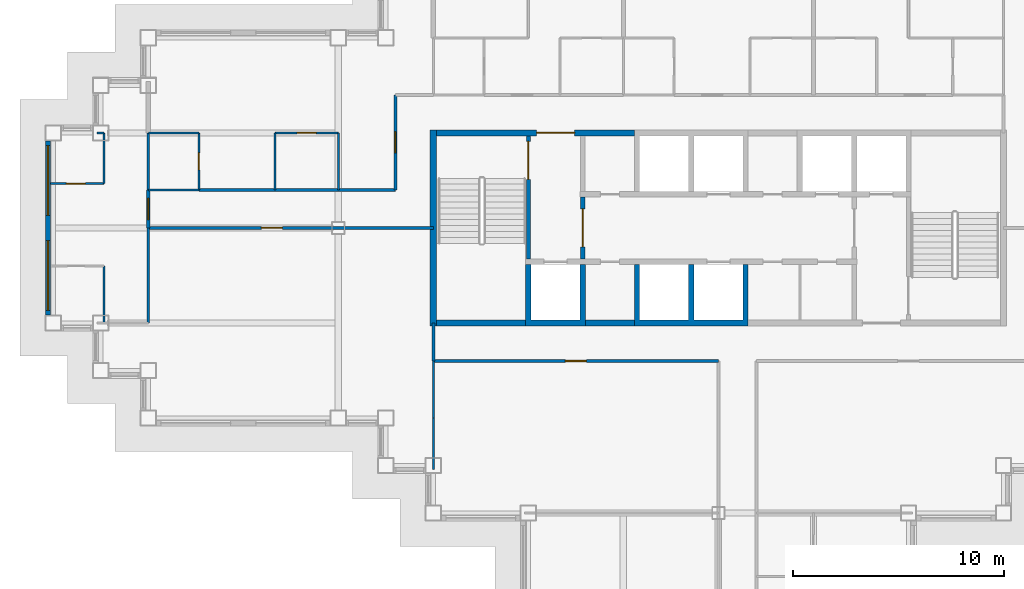
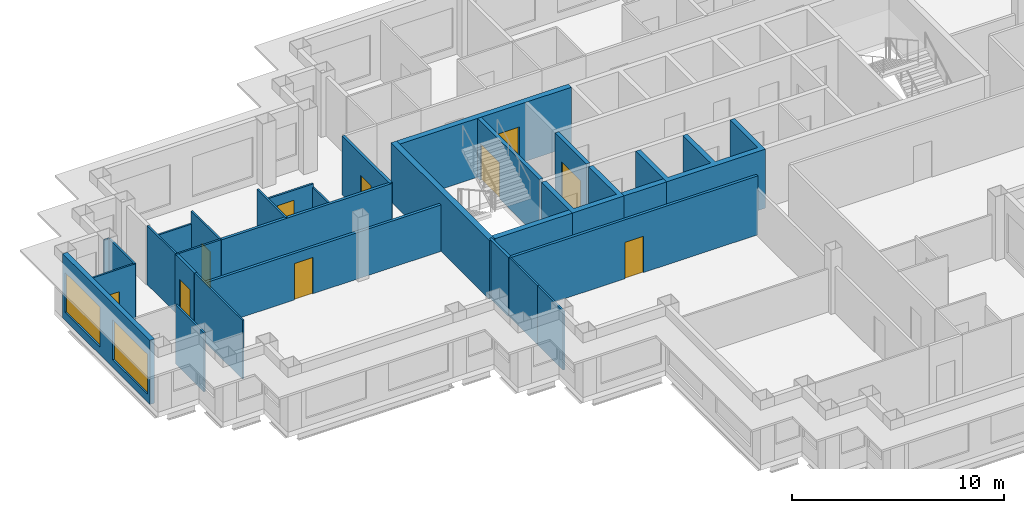
# One storey, part 4 of 13: 29 walls, 10 doors, 2 windows, 12 openings.
"""IFC4 building model written with IfcOpenShell, lengths in metres."""

from ifc_helpers import new_model, si_unit, direction, frame, frame_2d, origin, place, context, subcontext, project, spatial, polyline, rectangle, outline, extrude, material, layer, layer_set, type_object, element, fill, save


model = new_model("IFC4")

# Units and contexts
model_context = context("Model", 3, precision=1e-05, world=origin(), true_north=direction((0.0, 1.0)))
body_context = subcontext(model_context, "Body", "Model", "MODEL_VIEW")
ifc_project = project(units=[si_unit("LENGTHUNIT", "METRE"), si_unit("AREAUNIT", "SQUARE_METRE"), si_unit("VOLUMEUNIT", "CUBIC_METRE"), si_unit("PLANEANGLEUNIT", "RADIAN"), si_unit("MASSUNIT", "GRAM", prefix="KILO")], contexts=[model_context])

# Site, building, storey
site_placement = place(None, origin())
site = spatial("IfcSite", under=ifc_project, at=site_placement, CompositionType="ELEMENT")
building_placement = place(site_placement, origin())
building = spatial("IfcBuilding", under=site, at=building_placement, Name="Caravel Reach Hotel and Residences", CompositionType="ELEMENT")
storey_placement = place(building_placement, frame((0.0, 0.0, 180.199951171875)))
storey = spatial("IfcBuildingStorey", under=building, at=storey_placement, Name="L45", CompositionType="ELEMENT", Elevation=180.199951171875)

# Walls
ifc_material_1 = material(Name="Gypsum board on steel stud", Category="steel")
ifc_layer_1 = layer(ifc_material_1, 0.10009765625)
ifc_layer_set_1 = layer_set([ifc_layer_1], Name="Bathroom pod wall 100 mm")
wall_type_1 = type_object("IfcWallType", Name="Bathroom pod wall 100 mm", PredefinedType="PARTITIONING", material=ifc_layer_set_1)
wall_1_placement = place(storey_placement, frame((4.5, 28.800048828125, 0.0), z_axis=(0.0, 0.0, 1.0), x_axis=(1.0, 0.0, 0.0)))
element("IfcWall", 1, at=wall_1_placement, inside=storey, type_object=wall_type_1, Name="L45 wall w075", PredefinedType="PARTITIONING", context=body_context, shape_type="SweptSolid", body=[
    extrude(rectangle(XDim=2.39990234375, YDim=0.10009765625, at=frame_2d((1.199951171875, 0.0))), origin(), (0.0, 0.0, 1.0), 3.400146484375),
])
wall_2_placement = place(storey_placement, frame((4.5, 31.5, 0.0), z_axis=(0.0, 0.0, 1.0), x_axis=(1.0, 0.0, 0.0)))
element("IfcWall", 2, at=wall_2_placement, inside=storey, type_object=wall_type_1, Name="L45 wall w076", PredefinedType="PARTITIONING", context=body_context, shape_type="SweptSolid", body=[
    extrude(rectangle(XDim=2.39990234375, YDim=0.10009765625, at=frame_2d((1.199951171875, 0.0))), origin(), (0.0, 0.0, 1.0), 2.679931640625),
])
for number, where, z_axis, x_axis, name in (
    (3, (2.39990234375, 22.5, 0.0), (0.0, 0.0, 1.0), (0.0, 1.0, 0.0), "L45 wall w086"),
    (4, (4.5, 28.800048828125, 0.0), (0.0, 0.0, 1.0), (0.0, 1.0, 0.0), "L45 wall w092"),
):
    element("IfcWall", number, at=place(storey_placement, frame(where, z_axis=z_axis, x_axis=x_axis)), inside=storey, type_object=wall_type_1, Name=name, PredefinedType="PARTITIONING", context=body_context, shape_type="SweptSolid", body=[
        extrude(rectangle(XDim=2.699951171875, YDim=0.10009765625, at=frame_2d((1.35009765625, 0.0))), origin(), (0.0, 0.0, 1.0), 3.400146484375),
    ])

# Wall, opening, door
wall_3_placement = place(storey_placement, frame((6.89990234375, 28.800048828125, 0.0), z_axis=(0.0, 0.0, 1.0), x_axis=(0.0, 1.0, 0.0)))
wall_3 = element("IfcWall", 5, at=wall_3_placement, inside=storey, type_object=wall_type_1, Name="L45 wall w097", PredefinedType="PARTITIONING", context=body_context, shape_type="SweptSolid", body=[
    extrude(rectangle(XDim=2.699951171875, YDim=0.10009765625, at=frame_2d((1.35009765625, 0.0))), origin(), (0.0, 0.0, 1.0), 3.400146484375),
])
opening_1_placement = place(wall_3_placement, frame((0.949951171875, 0.0, 0.0)))
opening_1 = element("IfcOpeningElement", 6, at=opening_1_placement, cuts=wall_3, Name="Opening D45-029", PredefinedType="OPENING", context=body_context, shape_type="SweptSolid", body=[
    extrude(rectangle(XDim=0.800048828125, YDim=2.10009765625, at=frame_2d((0.39990234375, 1.050048828125))), frame((0.0, 0.06005859375, 0.0), z_axis=(0.0, -1.0, 0.0), x_axis=(1.0, 0.0, 0.0)), (0.0, 0.0, 1.0), 0.1201171875),
])
ifc_material_2 = material(Name="Timber and steel door leaf", Category="steel")
door_type_1 = type_object("IfcDoorType", Name="Bathroom door 800 x 2100", OperationType="SINGLE_SWING_LEFT", PredefinedType="DOOR", material=ifc_material_2)
door_1_placement = place(opening_1_placement, origin())
door_1 = element("IfcDoor", 7, at=door_1_placement, inside=storey, type_object=door_type_1, Name="door D45-029", OperationType="SINGLE_SWING_RIGHT", OverallHeight=2.10009765625, OverallWidth=0.800048828125, PredefinedType="DOOR", context=body_context, shape_type="SweptSolid", body=[
    extrude(rectangle(XDim=0.800048828125, YDim=2.10009765625, at=frame_2d((0.39990234375, 1.050048828125))), frame((0.0, 0.02490234375, 0.0), z_axis=(0.0, -1.0, 0.0), x_axis=(1.0, 0.0, 0.0)), (0.0, 0.0, 1.0), 0.050048828125),
])
fill(opening_1, door_1)

# Walls
ifc_material_3 = material(Name="Concrete C60", Category="concrete")
ifc_layer_2 = layer(ifc_material_3, 0.300048828125)
ifc_layer_set_2 = layer_set([ifc_layer_2], Name="Core wall 300 mm EI 120")
wall_type_2 = type_object("IfcWallType", Name="Core wall 300 mm EI 120", PredefinedType="SHEAR", material=ifc_layer_set_2)
wall_4_placement = place(storey_placement, frame((18.14990234375, 22.5, 0.0), z_axis=(0.0, 0.0, 1.0), x_axis=(1.0, 0.0, 0.0)))
element("IfcWall", 8, at=wall_4_placement, inside=storey, type_object=wall_type_2, Name="L45 core wall S1", PredefinedType="SHEAR", context=body_context, shape_type="SweptSolid", body=[
    extrude(rectangle(XDim=4.22509765625, YDim=0.300048828125, at=frame_2d((2.112548828125, 0.0))), origin(), (0.0, 0.0, 1.0), 3.400146484375),
])
wall_5_placement = place(storey_placement, frame((25.196533203125, 22.5, 0.0), z_axis=(0.0, 0.0, 1.0), x_axis=(1.0, 0.0, 0.0)))
element("IfcWall", 9, at=wall_5_placement, inside=storey, type_object=wall_type_2, Name="L45 core wall S2", PredefinedType="SHEAR", context=body_context, shape_type="SweptSolid", body=[
    extrude(rectangle(XDim=2.3212890625, YDim=0.300048828125, at=frame_2d((1.16064453125, 0.0))), origin(), (0.0, 0.0, 1.0), 3.400146484375),
])

# Wall, opening, door
wall_6_placement = place(storey_placement, frame((18.14990234375, 31.5, 0.0), z_axis=(0.0, 0.0, 1.0), x_axis=(1.0, 0.0, 0.0)))
wall_6 = element("IfcWall", 10, at=wall_6_placement, inside=storey, type_object=wall_type_2, Name="L45 core wall N1", PredefinedType="SHEAR", context=body_context, shape_type="SweptSolid", body=[
    extrude(rectangle(XDim=9.367919921875, YDim=0.300048828125, at=frame_2d((4.68408203125, 0.0))), origin(), (0.0, 0.0, 1.0), 3.400146484375),
])
opening_2_placement = place(wall_6_placement, frame((4.735595703125, 0.0, 0.0)))
opening_2 = element("IfcOpeningElement", 11, at=opening_2_placement, cuts=wall_6, Name="Opening D45-015", PredefinedType="OPENING", context=body_context, shape_type="SweptSolid", body=[
    extrude(rectangle(XDim=1.800048828125, YDim=2.10009765625, at=frame_2d((0.89990234375, 1.050048828125))), frame((0.0, 0.159912109375, 0.0), z_axis=(0.0, -1.0, 0.0), x_axis=(1.0, 0.0, 0.0)), (0.0, 0.0, 1.0), 0.320068359375),
])
ifc_material_4 = material(Name="Steel fire door leaf", Category="steel")
door_type_2 = type_object("IfcDoorType", Name="Fire lobby door pair 1800 x 2100 EI 90", OperationType="DOUBLE_DOOR_SINGLE_SWING", PredefinedType="DOOR", material=ifc_material_4)
door_2_placement = place(opening_2_placement, origin())
door_2 = element("IfcDoor", 12, at=door_2_placement, inside=storey, type_object=door_type_2, Name="lobby N door pair to corridor", OperationType="DOUBLE_DOOR_SINGLE_SWING", OverallHeight=2.10009765625, OverallWidth=1.800048828125, PredefinedType="DOOR", context=body_context, shape_type="SweptSolid", body=[
    extrude(rectangle(XDim=1.800048828125, YDim=2.10009765625, at=frame_2d((0.89990234375, 1.050048828125))), frame((0.0, 0.02490234375, 0.0), z_axis=(0.0, -1.0, 0.0), x_axis=(1.0, 0.0, 0.0)), (0.0, 0.0, 1.0), 0.050048828125),
])
fill(opening_2, door_2)

# Wall
wall_7_placement = place(storey_placement, frame((18.0, 22.35009765625, 0.0), z_axis=(0.0, 0.0, 1.0), x_axis=(0.0, 1.0, 0.0)))
element("IfcWall", 13, at=wall_7_placement, inside=storey, type_object=wall_type_2, Name="L45 core wall W", PredefinedType="SHEAR", context=body_context, shape_type="SweptSolid", body=[
    extrude(rectangle(XDim=9.2998046875, YDim=0.300048828125, at=frame_2d((4.64990234375, 0.0))), origin(), (0.0, 0.0, 1.0), 3.400146484375),
])

# Wall, opening, door
ifc_material_5 = material(Name="Gypsum board on steel stud, fire-rated", Category="steel")
ifc_layer_3 = layer(ifc_material_5, 0.14990234375)
ifc_layer_set_3 = layer_set([ifc_layer_3], Name="Corridor wall 150 mm EI 60")
wall_type_3 = type_object("IfcWallType", Name="Corridor wall 150 mm EI 60", PredefinedType="PARTITIONING", material=ifc_layer_set_3)
wall_8_placement = place(storey_placement, frame((18.0, 20.699951171875, 0.0), z_axis=(0.0, 0.0, 1.0), x_axis=(1.0, 0.0, 0.0)))
wall_8 = element("IfcWall", 14, at=wall_8_placement, inside=storey, type_object=wall_type_3, Name="L45 wall w004", PredefinedType="PARTITIONING", context=body_context, shape_type="SweptSolid", body=[
    extrude(rectangle(XDim=13.5, YDim=0.14990234375, at=frame_2d((6.75, 0.0))), origin(), (0.0, 0.0, 1.0), 3.400146484375),
])
opening_3_placement = place(wall_8_placement, frame((6.25, 0.0, 0.0)))
opening_3 = element("IfcOpeningElement", 15, at=opening_3_placement, cuts=wall_8, Name="Opening D45-036", PredefinedType="OPENING", context=body_context, shape_type="SweptSolid", body=[
    extrude(rectangle(XDim=1.0, YDim=2.10009765625, at=frame_2d((0.5, 1.050048828125))), frame((0.0, 0.0849609375, 0.0), z_axis=(0.0, -1.0, 0.0), x_axis=(1.0, 0.0, 0.0)), (0.0, 0.0, 1.0), 0.169921875),
])
ifc_material_6 = material(Name="Steel fire door leaf", Category="steel")
door_type_3 = type_object("IfcDoorType", Name="Fire door 1000 x 2100 EI 60", OperationType="SINGLE_SWING_LEFT", PredefinedType="DOOR", material=ifc_material_6)
door_3_placement = place(opening_3_placement, origin())
door_3 = element("IfcDoor", 16, at=door_3_placement, inside=storey, type_object=door_type_3, Name="door D45-036", OperationType="SINGLE_SWING_RIGHT", OverallHeight=2.10009765625, OverallWidth=1.0, PredefinedType="DOOR", context=body_context, shape_type="SweptSolid", body=[
    extrude(rectangle(XDim=1.0, YDim=2.10009765625, at=frame_2d((0.5, 1.050048828125))), frame((0.0, 0.02490234375, 0.0), z_axis=(0.0, -1.0, 0.0), x_axis=(1.0, 0.0, 0.0)), (0.0, 0.0, 1.0), 0.050048828125),
])
fill(opening_3, door_3)

wall_9_placement = place(storey_placement, frame((4.5, 27.0, 0.0), z_axis=(0.0, 0.0, 1.0), x_axis=(1.0, 0.0, 0.0)))
wall_9 = element("IfcWall", 17, at=wall_9_placement, inside=storey, type_object=wall_type_3, Name="L45 wall w008", PredefinedType="PARTITIONING", context=body_context, shape_type="SweptSolid", body=[
    extrude(rectangle(XDim=13.5, YDim=0.14990234375, at=frame_2d((6.75, 0.0))), origin(), (0.0, 0.0, 1.0), 2.679931640625),
])
opening_4_placement = place(wall_9_placement, frame((5.35009765625, 0.0, 0.0)))
opening_4 = element("IfcOpeningElement", 18, at=opening_4_placement, cuts=wall_9, Name="Opening D45-031", PredefinedType="OPENING", context=body_context, shape_type="SweptSolid", body=[
    extrude(rectangle(XDim=1.0, YDim=2.10009765625, at=frame_2d((0.5, 1.050048828125))), frame((0.0, 0.0849609375, 0.0), z_axis=(0.0, -1.0, 0.0), x_axis=(1.0, 0.0, 0.0)), (0.0, 0.0, 1.0), 0.169921875),
])
door_4_placement = place(opening_4_placement, origin())
door_4 = element("IfcDoor", 19, at=door_4_placement, inside=storey, type_object=door_type_3, Name="door D45-031", OperationType="SINGLE_SWING_LEFT", OverallHeight=2.10009765625, OverallWidth=1.0, PredefinedType="DOOR", context=body_context, shape_type="SweptSolid", body=[
    extrude(rectangle(XDim=1.0, YDim=2.10009765625, at=frame_2d((0.5, 1.050048828125))), frame((0.0, 0.02490234375, 0.0), z_axis=(0.0, -1.0, 0.0), x_axis=(1.0, 0.0, 0.0)), (0.0, 0.0, 1.0), 0.050048828125),
])
fill(opening_4, door_4)

# Wall
wall_10_placement = place(storey_placement, frame((6.89990234375, 28.800048828125, 0.0), z_axis=(0.0, 0.0, 1.0), x_axis=(1.0, 0.0, 0.0)))
element("IfcWall", 20, at=wall_10_placement, inside=storey, type_object=wall_type_3, Name="L45 wall w010", PredefinedType="PARTITIONING", context=body_context, shape_type="SweptSolid", body=[
    extrude(rectangle(XDim=9.299072265625, YDim=0.14990234375, at=frame_2d((4.6494140625, 0.0))), origin(), (0.0, 0.0, 1.0), 3.400146484375),
])

# Wall, opening, door
wall_11_placement = place(storey_placement, frame((16.199951171875, 28.801025390625, 0.0), z_axis=(0.0, 0.0, 1.0), x_axis=(0.0, 1.0, 0.0)))
wall_11 = element("IfcWall", 21, at=wall_11_placement, inside=storey, type_object=wall_type_3, Name="L45 wall w021", PredefinedType="PARTITIONING", context=body_context, shape_type="SweptSolid", body=[
    extrude(rectangle(XDim=4.4990234375, YDim=0.14990234375, at=frame_2d((2.24951171875, 0.0))), origin(), (0.0, 0.0, 1.0), 3.400146484375),
])
opening_5_placement = place(wall_11_placement, frame((1.74951171875, 0.0, 0.0)))
opening_5 = element("IfcOpeningElement", 22, at=opening_5_placement, cuts=wall_11, Name="Opening D45-028", PredefinedType="OPENING", context=body_context, shape_type="SweptSolid", body=[
    extrude(rectangle(XDim=1.0, YDim=2.199951171875, at=frame_2d((0.5, 1.10009765625))), frame((0.0, 0.0849609375, 0.0), z_axis=(0.0, -1.0, 0.0), x_axis=(1.0, 0.0, 0.0)), (0.0, 0.0, 1.0), 0.169921875),
])
ifc_material_7 = material(Name="Steel fire door leaf", Category="steel")
door_type_4 = type_object("IfcDoorType", Name="Flat entrance door 1000 x 2200 EI 60", OperationType="SINGLE_SWING_LEFT", PredefinedType="DOOR", material=ifc_material_7)
door_5_placement = place(opening_5_placement, origin())
door_5 = element("IfcDoor", 23, at=door_5_placement, inside=storey, type_object=door_type_4, Name="door D45-028", OperationType="SINGLE_SWING_RIGHT", OverallHeight=2.199951171875, OverallWidth=1.0, PredefinedType="DOOR", context=body_context, shape_type="SweptSolid", body=[
    extrude(rectangle(XDim=1.0, YDim=2.199951171875, at=frame_2d((0.5, 1.10009765625))), frame((0.0, 0.02490234375, 0.0), z_axis=(0.0, -1.0, 0.0), x_axis=(1.0, 0.0, 0.0)), (0.0, 0.0, 1.0), 0.050048828125),
])
fill(opening_5, door_5)

# Wall
wall_12_placement = place(storey_placement, frame((18.0, 20.699951171875, 0.0), z_axis=(0.0, 0.0, 1.0), x_axis=(0.0, 1.0, 0.0)))
element("IfcWall", 24, at=wall_12_placement, inside=storey, type_object=wall_type_3, Name="L45 wall w022", PredefinedType="PARTITIONING", context=body_context, shape_type="SweptSolid", body=[
    extrude(rectangle(XDim=1.800048828125, YDim=0.14990234375, at=frame_2d((0.89990234375, 0.0))), origin(), (0.0, 0.0, 1.0), 3.400146484375),
])

# Wall, opening, door
wall_13_placement = place(storey_placement, frame((4.5, 27.0, 0.0), z_axis=(0.0, 0.0, 1.0), x_axis=(0.0, 1.0, 0.0)))
wall_13 = element("IfcWall", 25, at=wall_13_placement, inside=storey, type_object=wall_type_3, Name="L45 wall w028", PredefinedType="PARTITIONING", context=body_context, shape_type="SweptSolid", body=[
    extrude(rectangle(XDim=1.800048828125, YDim=0.14990234375, at=frame_2d((0.89990234375, 0.0))), origin(), (0.0, 0.0, 1.0), 3.400146484375),
])
opening_6_placement = place(wall_13_placement, frame((0.39990234375, 0.0, 0.0)))
opening_6 = element("IfcOpeningElement", 26, at=opening_6_placement, cuts=wall_13, Name="Opening D45-042", PredefinedType="OPENING", context=body_context, shape_type="SweptSolid", body=[
    extrude(rectangle(XDim=1.0, YDim=2.199951171875, at=frame_2d((0.5, 1.10009765625))), frame((0.0, 0.0849609375, 0.0), z_axis=(0.0, -1.0, 0.0), x_axis=(1.0, 0.0, 0.0)), (0.0, 0.0, 1.0), 0.169921875),
])
door_6_placement = place(opening_6_placement, origin())
door_6 = element("IfcDoor", 27, at=door_6_placement, inside=storey, type_object=door_type_4, Name="door D45-042", OperationType="SINGLE_SWING_LEFT", OverallHeight=2.199951171875, OverallWidth=1.0, PredefinedType="DOOR", context=body_context, shape_type="SweptSolid", body=[
    extrude(rectangle(XDim=1.0, YDim=2.199951171875, at=frame_2d((0.5, 1.10009765625))), frame((0.0, 0.02490234375, 0.0), z_axis=(0.0, -1.0, 0.0), x_axis=(1.0, 0.0, 0.0)), (0.0, 0.0, 1.0), 0.050048828125),
])
fill(opening_6, door_6)

# Wall, openings, windows
ifc_material_8 = material(Name="Insulated rainscreen wall, aluminium cladding", Category="aluminium")
ifc_layer_4 = layer(ifc_material_8, 0.25)
ifc_layer_set_4 = layer_set([ifc_layer_4], Name="EW1 Tower rainscreen wall")
wall_type_4 = type_object("IfcWallType", Name="EW1 Tower rainscreen wall", PredefinedType="SOLIDWALL", material=ifc_layer_set_4)
wall_14_placement = place(storey_placement, frame((-0.25, 31.125, 0.0), z_axis=(0.0, 0.0, 1.0), x_axis=(0.0, -1.0, 0.0)))
wall_14 = element("IfcWall", 28, at=wall_14_placement, inside=storey, type_object=wall_type_4, Name="External wall L45 W38.1", PredefinedType="SOLIDWALL", context=body_context, shape_type="SweptSolid", body=[
    extrude(rectangle(XDim=8.25, YDim=0.25, at=frame_2d((4.125, 0.0))), origin(), (0.0, 0.0, 1.0), 3.699951171875),
])
opening_7_placement = place(wall_14_placement, frame((0.22509765625, 0.0, 0.449951171875)))
opening_7 = element("IfcOpeningElement", 29, at=opening_7_placement, cuts=wall_14, Name="Opening WN15", PredefinedType="OPENING", context=body_context, shape_type="SweptSolid", body=[
    extrude(rectangle(XDim=3.300048828125, YDim=2.300048828125, at=frame_2d((1.64990234375, 1.14990234375))), frame((0.0, 0.135009765625, 0.0), z_axis=(0.0, -1.0, 0.0), x_axis=(1.0, 0.0, 0.0)), (0.0, 0.0, 1.0), 0.27001953125),
])
opening_8_placement = place(wall_14_placement, frame((4.72509765625, 0.0, 0.449951171875)))
opening_8 = element("IfcOpeningElement", 30, at=opening_8_placement, cuts=wall_14, Name="Opening WN15", PredefinedType="OPENING", context=body_context, shape_type="SweptSolid", body=[
    extrude(rectangle(XDim=3.300048828125, YDim=2.300048828125, at=frame_2d((1.64990234375, 1.14990234375))), frame((0.0, 0.135009765625, 0.0), z_axis=(0.0, -1.0, 0.0), x_axis=(1.0, 0.0, 0.0)), (0.0, 0.0, 1.0), 0.27001953125),
])
ifc_material_9 = material(Name="Dark low-e glazing in black aluminium frame", Category="aluminium")
window_type = type_object("IfcWindowType", Name="Residence living window 3300 x 2300", PartitioningType="SINGLE_PANEL", PredefinedType="WINDOW", material=ifc_material_9)
window_1_placement = place(opening_7_placement, origin())
window_1 = element("IfcWindow", 31, at=window_1_placement, inside=storey, type_object=window_type, Name="Window L45 W38.1.1", OverallHeight=2.300048828125, OverallWidth=3.300048828125, PartitioningType="SINGLE_PANEL", PredefinedType="WINDOW", context=body_context, shape_type="SweptSolid", body=[
    extrude(rectangle(XDim=3.300048828125, YDim=2.300048828125, at=frame_2d((1.64990234375, 1.14990234375))), frame((0.0, 0.030029296875, 0.0), z_axis=(0.0, -1.0, 0.0), x_axis=(1.0, 0.0, 0.0)), (0.0, 0.0, 1.0), 0.06005859375),
])
fill(opening_7, window_1)
window_2_placement = place(opening_8_placement, origin())
window_2 = element("IfcWindow", 32, at=window_2_placement, inside=storey, type_object=window_type, Name="Window L45 W38.1.2", OverallHeight=2.300048828125, OverallWidth=3.300048828125, PartitioningType="SINGLE_PANEL", PredefinedType="WINDOW", context=body_context, shape_type="SweptSolid", body=[
    extrude(rectangle(XDim=3.300048828125, YDim=2.300048828125, at=frame_2d((1.64990234375, 1.14990234375))), frame((0.0, 0.030029296875, 0.0), z_axis=(0.0, -1.0, 0.0), x_axis=(1.0, 0.0, 0.0)), (0.0, 0.0, 1.0), 0.06005859375),
])
fill(opening_8, window_2)

# Wall, opening, door
ifc_material_10 = material(Name="Autoclaved aerated block wall")
ifc_layer_5 = layer(ifc_material_10, 0.199951171875)
ifc_layer_set_5 = layer_set([ifc_layer_5], Name="Fire lobby wall 200 mm EI 120")
wall_type_5 = type_object("IfcWallType", Name="Fire lobby wall 200 mm EI 120", PredefinedType="PARTITIONING", material=ifc_layer_set_5)
wall_15_placement = place(storey_placement, frame((25.071533203125, 25.52490234375, 0.0), z_axis=(0.0, 0.0, 1.0), x_axis=(0.0, 1.0, 0.0)))
wall_15 = element("IfcWall", 33, at=wall_15_placement, inside=storey, type_object=wall_type_5, Name="L45 lobby W wall", PredefinedType="PARTITIONING", context=body_context, shape_type="SweptSolid", body=[
    extrude(rectangle(XDim=2.9501953125, YDim=0.199951171875, at=frame_2d((1.47509765625, 0.0))), origin(), (0.0, 0.0, 1.0), 3.400146484375),
])
opening_9_placement = place(wall_15_placement, frame((0.574951171875, 0.0, 0.0)))
opening_9 = element("IfcOpeningElement", 34, at=opening_9_placement, cuts=wall_15, Name="Opening D45-013", PredefinedType="OPENING", context=body_context, shape_type="SweptSolid", body=[
    extrude(rectangle(XDim=1.800048828125, YDim=2.10009765625, at=frame_2d((0.89990234375, 1.050048828125))), frame((0.0, 0.10986328125, 0.0), z_axis=(0.0, -1.0, 0.0), x_axis=(1.0, 0.0, 0.0)), (0.0, 0.0, 1.0), 0.219970703125),
])
door_7_placement = place(opening_9_placement, origin())
door_7 = element("IfcDoor", 35, at=door_7_placement, inside=storey, type_object=door_type_2, Name="lobby W door pair", OperationType="DOUBLE_DOOR_SINGLE_SWING", OverallHeight=2.10009765625, OverallWidth=1.800048828125, PredefinedType="DOOR", context=body_context, shape_type="SweptSolid", body=[
    extrude(rectangle(XDim=1.800048828125, YDim=2.10009765625, at=frame_2d((0.89990234375, 1.050048828125))), frame((0.0, 0.02490234375, 0.0), z_axis=(0.0, -1.0, 0.0), x_axis=(1.0, 0.0, 0.0)), (0.0, 0.0, 1.0), 0.050048828125),
])
fill(opening_9, door_7)

ifc_material_11 = material(Name="Gypsum board on steel stud", Category="steel")
ifc_layer_6 = layer(ifc_material_11, 0.10009765625)
ifc_layer_set_6 = layer_set([ifc_layer_6], Name="Partition 100 mm")
wall_type_6 = type_object("IfcWallType", Name="Partition 100 mm", PredefinedType="PARTITIONING", material=ifc_layer_set_6)
wall_16_placement = place(storey_placement, frame((-0.125, 29.10009765625, 0.0), z_axis=(0.0, 0.0, 1.0), x_axis=(1.0, 0.0, 0.0)))
wall_16 = element("IfcWall", 36, at=wall_16_placement, inside=storey, type_object=wall_type_6, Name="L45 wall w039", PredefinedType="PARTITIONING", context=body_context, shape_type="SweptSolid", body=[
    extrude(rectangle(XDim=2.52490234375, YDim=0.10009765625, at=frame_2d((1.262451171875, 0.0))), origin(), (0.0, 0.0, 1.0), 3.400146484375),
])
opening_10_placement = place(wall_16_placement, frame((0.75, 0.0, 0.0)))
opening_10 = element("IfcOpeningElement", 37, at=opening_10_placement, cuts=wall_16, Name="Opening D45-044", PredefinedType="OPENING", context=body_context, shape_type="SweptSolid", body=[
    extrude(rectangle(XDim=0.89990234375, YDim=2.10009765625, at=frame_2d((0.449951171875, 1.050048828125))), frame((0.0, 0.06005859375, 0.0), z_axis=(0.0, -1.0, 0.0), x_axis=(1.0, 0.0, 0.0)), (0.0, 0.0, 1.0), 0.1201171875),
])
ifc_material_12 = material(Name="Timber and steel door leaf", Category="steel")
door_type_5 = type_object("IfcDoorType", Name="Door 900 x 2100 timber", OperationType="SINGLE_SWING_LEFT", PredefinedType="DOOR", material=ifc_material_12)
door_8_placement = place(opening_10_placement, origin())
door_8 = element("IfcDoor", 38, at=door_8_placement, inside=storey, type_object=door_type_5, Name="door D45-044", OperationType="SINGLE_SWING_LEFT", OverallHeight=2.10009765625, OverallWidth=0.89990234375, PredefinedType="DOOR", context=body_context, shape_type="SweptSolid", body=[
    extrude(rectangle(XDim=0.89990234375, YDim=2.10009765625, at=frame_2d((0.449951171875, 1.050048828125))), frame((0.0, 0.02490234375, 0.0), z_axis=(0.0, -1.0, 0.0), x_axis=(1.0, 0.0, 0.0)), (0.0, 0.0, 1.0), 0.050048828125),
])
fill(opening_10, door_8)

wall_17_placement = place(storey_placement, frame((10.5, 31.5, 0.0), z_axis=(0.0, 0.0, 1.0), x_axis=(1.0, 0.0, 0.0)))
wall_17 = element("IfcWall", 39, at=wall_17_placement, inside=storey, type_object=wall_type_6, Name="L45 wall w041", PredefinedType="PARTITIONING", context=body_context, shape_type="SweptSolid", body=[
    extrude(rectangle(XDim=3.0, YDim=0.10009765625, at=frame_2d((1.5, 0.0))), origin(), (0.0, 0.0, 1.0), 2.679931640625),
])
opening_11_placement = place(wall_17_placement, frame((1.050048828125, 0.0, 0.0)))
opening_11 = element("IfcOpeningElement", 40, at=opening_11_placement, cuts=wall_17, Name="Opening D45-030", PredefinedType="OPENING", context=body_context, shape_type="SweptSolid", body=[
    extrude(rectangle(XDim=0.89990234375, YDim=2.10009765625, at=frame_2d((0.449951171875, 1.050048828125))), frame((0.0, 0.06005859375, 0.0), z_axis=(0.0, -1.0, 0.0), x_axis=(1.0, 0.0, 0.0)), (0.0, 0.0, 1.0), 0.1201171875),
])
door_9_placement = place(opening_11_placement, origin())
door_9 = element("IfcDoor", 41, at=door_9_placement, inside=storey, type_object=door_type_5, Name="door D45-030", OperationType="SINGLE_SWING_LEFT", OverallHeight=2.10009765625, OverallWidth=0.89990234375, PredefinedType="DOOR", context=body_context, shape_type="SweptSolid", body=[
    extrude(rectangle(XDim=0.89990234375, YDim=2.10009765625, at=frame_2d((0.449951171875, 1.050048828125))), frame((0.0, 0.02490234375, 0.0), z_axis=(0.0, -1.0, 0.0), x_axis=(1.0, 0.0, 0.0)), (0.0, 0.0, 1.0), 0.050048828125),
])
fill(opening_11, door_9)

# Walls
wall_18_placement = place(storey_placement, frame((2.06005859375, 31.5, 0.0), z_axis=(0.0, 0.0, 1.0), x_axis=(1.0, 0.0, 0.0)))
element("IfcWall", 42, at=wall_18_placement, inside=storey, type_object=wall_type_6, Name="L45 wall w042", PredefinedType="PARTITIONING", context=body_context, shape_type="SweptSolid", body=[
    extrude(rectangle(XDim=0.33984375, YDim=0.10009765625, at=frame_2d((0.169921875, 0.0))), origin(), (0.0, 0.0, 1.0), 3.400146484375),
])
wall_19_placement = place(storey_placement, frame((10.5, 28.800048828125, 0.0), z_axis=(0.0, 0.0, 1.0), x_axis=(0.0, 1.0, 0.0)))
element("IfcWall", 43, at=wall_19_placement, inside=storey, type_object=wall_type_6, Name="L45 wall w050", PredefinedType="PARTITIONING", context=body_context, shape_type="SweptSolid", body=[
    extrude(rectangle(XDim=2.699951171875, YDim=0.10009765625, at=frame_2d((1.35009765625, 0.0))), origin(), (0.0, 0.0, 1.0), 3.400146484375),
])
wall_20_placement = place(storey_placement, frame((13.5, 28.801025390625, 0.0), z_axis=(0.0, 0.0, 1.0), x_axis=(0.0, 1.0, 0.0)))
element("IfcWall", 44, at=wall_20_placement, inside=storey, type_object=wall_type_6, Name="L45 wall w051", PredefinedType="PARTITIONING", context=body_context, shape_type="SweptSolid", body=[
    extrude(rectangle(XDim=2.698974609375, YDim=0.10009765625, at=frame_2d((1.349609375, 0.0))), origin(), (0.0, 0.0, 1.0), 2.47998046875),
])
wall_21_placement = place(storey_placement, frame((18.0, 15.56005859375, 0.0), z_axis=(0.0, 0.0, 1.0), x_axis=(0.0, 1.0, 0.0)))
element("IfcWall", 45, at=wall_21_placement, inside=storey, type_object=wall_type_6, Name="L45 wall w052", PredefinedType="PARTITIONING", context=body_context, shape_type="SweptSolid", body=[
    extrude(rectangle(XDim=2.43896484375, YDim=0.10009765625, at=frame_2d((1.219482421875, 0.0))), origin(), (0.0, 0.0, 1.0), 3.400146484375),
])
wall_22_placement = place(storey_placement, frame((18.0, 18.0, 0.0), z_axis=(0.0, 0.0, 1.0), x_axis=(0.0, 1.0, 0.0)))
element("IfcWall", 46, at=wall_22_placement, inside=storey, type_object=wall_type_6, Name="L45 wall w053", PredefinedType="PARTITIONING", context=body_context, shape_type="SweptSolid", body=[
    extrude(rectangle(XDim=2.699951171875, YDim=0.10009765625, at=frame_2d((1.35009765625, 0.0))), origin(), (0.0, 0.0, 1.0), 3.400146484375),
])
wall_23_placement = place(storey_placement, frame((2.39990234375, 29.10009765625, 0.0), z_axis=(0.0, 0.0, 1.0), x_axis=(0.0, 1.0, 0.0)))
element("IfcWall", 47, at=wall_23_placement, inside=storey, type_object=wall_type_6, Name="L45 wall w054", PredefinedType="PARTITIONING", context=body_context, shape_type="SweptSolid", body=[
    extrude(rectangle(XDim=2.39990234375, YDim=0.10009765625, at=frame_2d((1.199951171875, 0.0))), origin(), (0.0, 0.0, 1.0), 3.400146484375),
])
wall_24_placement = place(storey_placement, frame((4.5, 22.5, 0.0), z_axis=(0.0, 0.0, 1.0), x_axis=(0.0, 1.0, 0.0)))
element("IfcWall", 48, at=wall_24_placement, inside=storey, type_object=wall_type_6, Name="L45 wall w060", PredefinedType="PARTITIONING", context=body_context, shape_type="SweptSolid", body=[
    extrude(rectangle(XDim=4.5, YDim=0.10009765625, at=frame_2d((2.25, 0.0))), origin(), (0.0, 0.0, 1.0), 3.400146484375),
])
ifc_material_13 = material(Name="Concrete C60", Category="concrete")
ifc_layer_7 = layer(ifc_material_13, 0.25)
ifc_layer_set_7 = layer_set([ifc_layer_7], Name="Shaft wall 250 mm EI 120")
wall_type_7 = type_object("IfcWallType", Name="Shaft wall 250 mm EI 120", PredefinedType="SHEAR", material=ifc_layer_set_7)
wall_25_placement = place(storey_placement, origin())
element("IfcWall", 49, at=wall_25_placement, inside=storey, type_object=wall_type_7, Name="L45 lift shaft wall S1", PredefinedType="SHEAR", context=body_context, shape_type="SweptSolid", body=[
    extrude(outline(polyline([(22.375, 22.35009765625), (25.196533203125, 22.35009765625), (25.196533203125, 25.27490234375), (24.946533203125, 25.27490234375), (24.946533203125, 22.64990234375), (22.625, 22.64990234375), (22.625, 25.27490234375), (22.375, 25.27490234375), (22.375, 22.35009765625)])), origin(), (0.0, 0.0, 1.0), 3.400146484375),
])
wall_26_placement = place(storey_placement, origin())
element("IfcWall", 50, at=wall_26_placement, inside=storey, type_object=wall_type_7, Name="L45 lift shaft wall S2", PredefinedType="SHEAR", context=body_context, shape_type="SweptSolid", body=[
    extrude(outline(polyline([(27.517822265625, 22.35009765625), (32.91064453125, 22.35009765625), (32.91064453125, 25.27490234375), (32.66064453125, 25.27490234375), (32.66064453125, 22.64990234375), (30.33935546875, 22.64990234375), (30.33935546875, 25.27490234375), (30.08935546875, 25.27490234375), (30.08935546875, 22.64990234375), (27.767822265625, 22.64990234375), (27.767822265625, 25.27490234375), (27.517822265625, 25.27490234375), (27.517822265625, 22.35009765625)])), origin(), (0.0, 0.0, 1.0), 3.400146484375),
])

# Wall, opening, door
ifc_material_14 = material(Name="Concrete C60", Category="concrete")
ifc_layer_8 = layer(ifc_material_14, 0.199951171875)
ifc_layer_set_8 = layer_set([ifc_layer_8], Name="Stair enclosure wall 200 mm EI 120")
wall_type_8 = type_object("IfcWallType", Name="Stair enclosure wall 200 mm EI 120", PredefinedType="SHEAR", material=ifc_layer_set_8)
wall_27_placement = place(storey_placement, frame((22.5, 31.35009765625, 0.0), z_axis=(0.0, 0.0, 1.0), x_axis=(0.0, -1.0, 0.0)))
wall_27 = element("IfcWall", 51, at=wall_27_placement, inside=storey, type_object=wall_type_8, Name="L45 stair A wall", PredefinedType="SHEAR", context=body_context, shape_type="SweptSolid", body=[
    extrude(rectangle(XDim=5.8251953125, YDim=0.199951171875, at=frame_2d((2.91259765625, 0.0))), origin(), (0.0, 0.0, 1.0), 3.400146484375),
])
opening_12_placement = place(wall_27_placement, frame((0.25, 0.0, 0.0)))
opening_12 = element("IfcOpeningElement", 52, at=opening_12_placement, cuts=wall_27, Name="Opening D45-011", PredefinedType="OPENING", context=body_context, shape_type="SweptSolid", body=[
    extrude(rectangle(XDim=1.800048828125, YDim=2.10009765625, at=frame_2d((0.89990234375, 1.050048828125))), frame((0.0, 0.10986328125, 0.0), z_axis=(0.0, -1.0, 0.0), x_axis=(1.0, 0.0, 0.0)), (0.0, 0.0, 1.0), 0.219970703125),
])
ifc_material_15 = material(Name="Steel fire door leaf", Category="steel")
door_type_6 = type_object("IfcDoorType", Name="Stair door pair 1800 x 2100 EI 90", OperationType="DOUBLE_DOOR_SINGLE_SWING", PredefinedType="DOOR", material=ifc_material_15)
door_10_placement = place(opening_12_placement, origin())
door_10 = element("IfcDoor", 53, at=door_10_placement, inside=storey, type_object=door_type_6, Name="stair A door pair", OperationType="DOUBLE_DOOR_SINGLE_SWING", OverallHeight=2.10009765625, OverallWidth=1.800048828125, PredefinedType="DOOR", context=body_context, shape_type="SweptSolid", body=[
    extrude(rectangle(XDim=1.800048828125, YDim=2.10009765625, at=frame_2d((0.89990234375, 1.050048828125))), frame((0.0, 0.02490234375, 0.0), z_axis=(0.0, -1.0, 0.0), x_axis=(1.0, 0.0, 0.0)), (0.0, 0.0, 1.0), 0.050048828125),
])
fill(opening_12, door_10)

save(model, "model.ifc")
